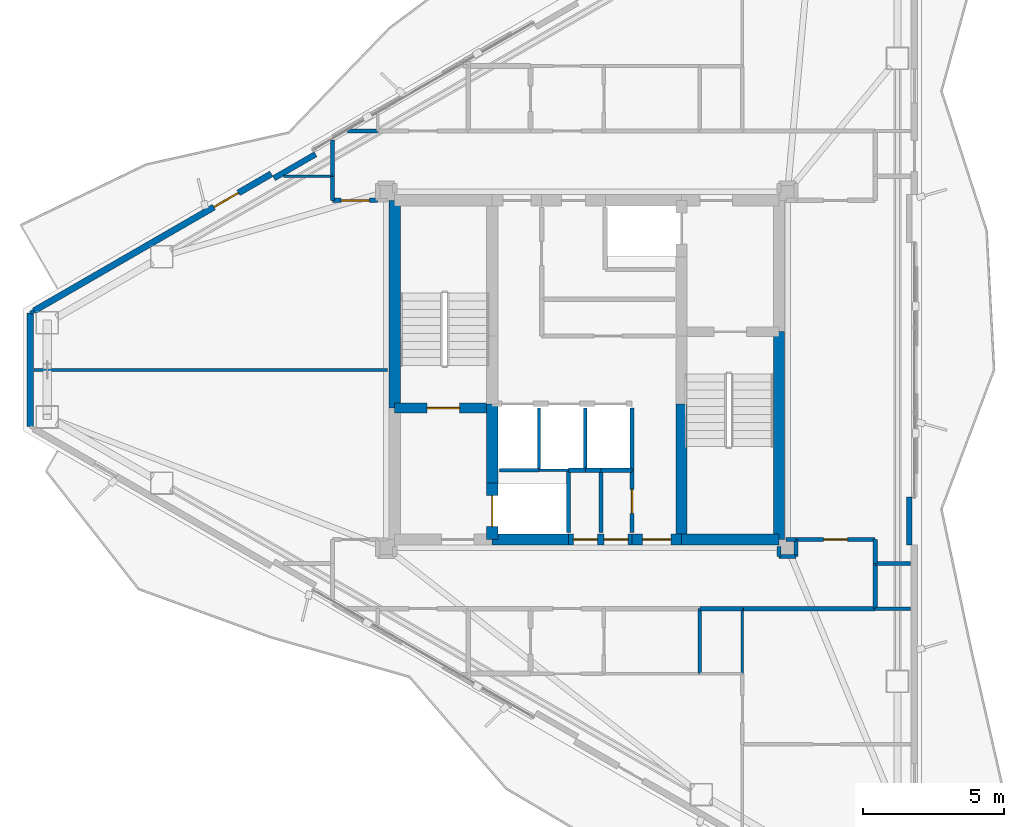
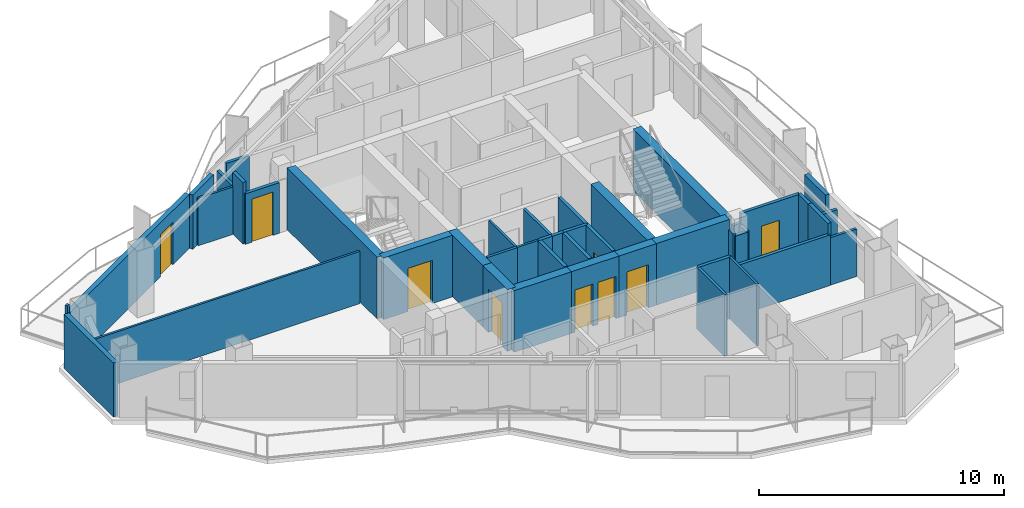
# One storey, part 17 of 22: 45 walls, 9 doors, 9 openings.
"""IFC4 building model written with IfcOpenShell, lengths in metres."""

from ifc_helpers import new_model, si_unit, direction, frame, frame_2d, origin, place, context, subcontext, project, spatial, rectangle, extrude, material, layer, layer_set, type_object, element, fill, save


model = new_model("IFC4")

# Units and contexts
model_context = context("Model", 3, precision=1e-05, world=origin(), true_north=direction((0.0, 1.0)))
body_context = subcontext(model_context, "Body", "Model", "MODEL_VIEW")
ifc_project = project(units=[si_unit("LENGTHUNIT", "METRE"), si_unit("AREAUNIT", "SQUARE_METRE"), si_unit("VOLUMEUNIT", "CUBIC_METRE"), si_unit("PLANEANGLEUNIT", "RADIAN"), si_unit("MASSUNIT", "GRAM", prefix="KILO")], contexts=[model_context])

# Site, building, storey
site_placement = place(None, origin())
site = spatial("IfcSite", under=ifc_project, at=site_placement, CompositionType="ELEMENT")
building_placement = place(site_placement, origin())
building = spatial("IfcBuilding", under=site, at=building_placement, Name="Mersakhor Tower and Convention Hall", CompositionType="ELEMENT")
storey_placement = place(building_placement, frame((0.0, 0.0, 205.199951171875)))
storey = spatial("IfcBuildingStorey", under=building, at=storey_placement, Name="L57", CompositionType="ELEMENT", Elevation=205.199951171875)

# Wall
ifc_material_1 = material(Name="Precast concrete C40/50", Category="concrete")
ifc_layer_1 = layer(ifc_material_1, 0.22509765625)
ifc_layer_set_1 = layer_set([ifc_layer_1], Name="Precast concrete C40/50")
wall_type_1 = type_object("IfcWallType", Name="WL-EXT-225", PredefinedType="SOLIDWALL", material=ifc_layer_set_1)
wall_1_placement = place(storey_placement, frame((9.3076171875, 24.73828125, 0.0), z_axis=(0.0, 0.0, 1.0), x_axis=(0.0, 1.0, 0.0)))
element("IfcWall", 1, at=wall_1_placement, inside=storey, type_object=wall_type_1, Name="L57 Chamfer Braced Spandrel Wall C3", PredefinedType="SOLIDWALL", context=body_context, shape_type="SweptSolid", body=[
    extrude(rectangle(XDim=4.0234375, YDim=0.22509765625, at=frame_2d((2.01171875, 0.0))), origin(), (0.0, 0.0, 1.0), 2.68994140625),
])

# Wall, opening, door
wall_2_placement = place(storey_placement, frame((9.4375, 28.836669921875, 0.0), z_axis=(0.0, 0.0, 1.0), x_axis=(0.866027133173, 0.499997004599, 0.0)))
wall_2 = element("IfcWall", 2, at=wall_2_placement, inside=storey, type_object=wall_type_1, Name="L57 Exterior Facade Wall F1-B1", PredefinedType="SOLIDWALL", context=body_context, shape_type="SweptSolid", body=[
    extrude(rectangle(XDim=9.69873046875, YDim=0.22509765625, at=frame_2d((4.849365234375, 0.0))), origin(), (0.0, 0.0, 1.0), 2.68994140625),
])
opening_1_placement = place(wall_2_placement, frame((7.35205078125, 0.0, 0.0)))
opening_1 = element("IfcOpeningElement", 3, at=opening_1_placement, cuts=wall_2, Name="Opening BD-01", PredefinedType="OPENING", context=body_context, shape_type="SweptSolid", body=[
    extrude(rectangle(XDim=1.0, YDim=2.10009765625, at=frame_2d((0.5, 1.050048828125))), frame((0.0, 0.12255859375, 0.0), z_axis=(0.0, -1.0, 0.0), x_axis=(1.0, 0.0, 0.0)), (0.0, 0.0, 1.0), 0.2451171875),
])
ifc_material_2 = material(Name="Thermally broken dark aluminium and safety glass", Category="aluminium")
door_type_1 = type_object("IfcDoorType", Name="DR-BAL-100x210", OperationType="NOTDEFINED", PredefinedType="DOOR", material=ifc_material_2)
door_1_placement = place(opening_1_placement, origin())
door_1 = element("IfcDoor", 4, at=door_1_placement, inside=storey, type_object=door_type_1, Name="L57 Balcony Terrace Door F1-B1", OperationType="SINGLE_SWING_LEFT", OverallHeight=2.10009765625, OverallWidth=1.0, PredefinedType="DOOR", context=body_context, shape_type="SweptSolid", body=[
    extrude(rectangle(XDim=1.0, YDim=2.10009765625, at=frame_2d((0.5, 1.050048828125))), frame((0.0, 0.02490234375, 0.0), z_axis=(0.0, -1.0, 0.0), x_axis=(1.0, 0.0, 0.0)), (0.0, 0.0, 1.0), 0.050048828125),
])
fill(opening_1, door_1)

# Walls
ifc_material_3 = material(Name="Precast concrete C40/50", Category="concrete")
ifc_layer_2 = layer(ifc_material_3, 0.199951171875)
ifc_layer_set_2 = layer_set([ifc_layer_2], Name="Precast concrete C40/50")
wall_type_2 = type_object("IfcWallType", Name="WL-PAR-200", PredefinedType="PARAPET", material=ifc_layer_set_2)
for number, where, z_axis, x_axis, name in (
    (5, (17.927001953125, 33.5302734375, 0.0), (0.0, 0.0, 1.0), (0.86605165483, 0.499954529098, 0.0), "L57 Column Pier Cladding Wall F1-C1"),
    (6, (40.408447265625, 22.25048828125, 0.0), (0.0, 0.0, 1.0), (0.0, -1.0, 0.0), "L57 Column Pier Cladding Wall F2-C2"),
):
    element("IfcWall", number, at=place(storey_placement, frame(where, z_axis=z_axis, x_axis=x_axis)), inside=storey, type_object=wall_type_2, Name=name, PredefinedType="PARAPET", context=body_context, shape_type="SweptSolid", body=[
        extrude(rectangle(XDim=1.699951171875, YDim=0.199951171875, at=frame_2d((0.85009765625, 0.0))), origin(), (0.0, 0.0, 1.0), 2.68994140625),
    ])
ifc_material_4 = material(Name="Lightweight gypsum partition", Category="other")
ifc_layer_3 = layer(ifc_material_4, 0.10009765625)
ifc_layer_set_3 = layer_set([ifc_layer_3], Name="Lightweight gypsum partition")
wall_type_3 = type_object("IfcWallType", Name="WL-PRT-100", PredefinedType="PARTITIONING", material=ifc_layer_set_3)
wall_3_placement = place(storey_placement, frame((27.300048828125, 23.199951171875, 0.0), z_axis=(0.0, 0.0, 1.0), x_axis=(1.0, 0.0, 0.0)))
element("IfcWall", 7, at=wall_3_placement, inside=storey, type_object=wall_type_3, Name="L57 Interior Partition Wall P-002", PredefinedType="PARTITIONING", context=body_context, shape_type="SweptSolid", body=[
    extrude(rectangle(XDim=1.050048828125, YDim=0.10009765625, at=frame_2d((0.52490234375, 0.0))), origin(), (0.0, 0.0, 1.0), 3.070068359375),
])
wall_4_placement = place(storey_placement, frame((27.300048828125, 25.39990234375, 0.0), z_axis=(0.0, 0.0, 1.0), x_axis=(0.0, -1.0, 0.0)))
element("IfcWall", 8, at=wall_4_placement, inside=storey, type_object=wall_type_3, Name="L57 Interior Partition Wall P-006", PredefinedType="PARTITIONING", context=body_context, shape_type="SweptSolid", body=[
    extrude(rectangle(XDim=2.199951171875, YDim=0.10009765625, at=frame_2d((1.10009765625, 0.0))), origin(), (0.0, 0.0, 1.0), 3.070068359375),
])
wall_5_placement = place(storey_placement, frame((18.273193359375, 33.60009765625, 0.0), z_axis=(0.0, 0.0, 1.0), x_axis=(1.0, 0.0, 0.0)))
element("IfcWall", 9, at=wall_5_placement, inside=storey, type_object=wall_type_3, Name="L57 Interior Partition Wall P-070", PredefinedType="PARTITIONING", context=body_context, shape_type="SweptSolid", body=[
    extrude(rectangle(XDim=1.726806640625, YDim=0.10009765625, at=frame_2d((0.86328125, 0.0))), origin(), (0.0, 0.0, 1.0), 2.364990234375),
])
wall_6_placement = place(storey_placement, frame((21.949951171875, 26.75, 0.0), z_axis=(0.0, 0.0, 1.0), x_axis=(-1.0, 0.0, 0.0)))
element("IfcWall", 10, at=wall_6_placement, inside=storey, type_object=wall_type_3, Name="L57 Interior Partition Wall P-072", PredefinedType="PARTITIONING", context=body_context, shape_type="SweptSolid", body=[
    extrude(rectangle(XDim=12.505859375, YDim=0.10009765625, at=frame_2d((6.2529296875, 0.0))), origin(), (0.0, 0.0, 1.0), 2.594970703125),
])
wall_7_placement = place(storey_placement, frame((34.5, 16.0, 0.0), z_axis=(0.0, 0.0, 1.0), x_axis=(0.0, 1.0, 0.0)))
element("IfcWall", 11, at=wall_7_placement, inside=storey, type_object=wall_type_3, Name="L57 Interior Partition Wall P-098", PredefinedType="PARTITIONING", context=body_context, shape_type="SweptSolid", body=[
    extrude(rectangle(XDim=2.300048828125, YDim=0.10009765625, at=frame_2d((1.14990234375, 0.0))), origin(), (0.0, 0.0, 1.0), 3.070068359375),
])
ifc_material_5 = material(Name="Gypsum board acoustic partition", Category="other")
ifc_layer_4 = layer(ifc_material_5, 0.125)
ifc_layer_set_4 = layer_set([ifc_layer_4], Name="Gypsum board acoustic partition")
wall_type_4 = type_object("IfcWallType", Name="WL-PRT-125", PredefinedType="PARTITIONING", material=ifc_layer_set_4)
wall_8_placement = place(storey_placement, frame((25.89990234375, 23.199951171875, 0.0), z_axis=(0.0, 0.0, 1.0), x_axis=(1.0, 0.0, 0.0)))
element("IfcWall", 12, at=wall_8_placement, inside=storey, type_object=wall_type_4, Name="L57 Interior Partition Wall P-001", PredefinedType="PARTITIONING", context=body_context, shape_type="SweptSolid", body=[
    extrude(rectangle(XDim=1.400146484375, YDim=0.125, at=frame_2d((0.7001953125, 0.0))), origin(), (0.0, 0.0, 1.0), 3.070068359375),
])
wall_9_placement = place(storey_placement, frame((28.949951171875, 25.39990234375, 0.0), z_axis=(0.0, 0.0, 1.0), x_axis=(0.0, -1.0, 0.0)))
element("IfcWall", 13, at=wall_9_placement, inside=storey, type_object=wall_type_4, Name="L57 Interior Partition Wall P-007", PredefinedType="PARTITIONING", context=body_context, shape_type="SweptSolid", body=[
    extrude(rectangle(XDim=2.199951171875, YDim=0.125, at=frame_2d((1.10009765625, 0.0))), origin(), (0.0, 0.0, 1.0), 3.070068359375),
])
wall_10_placement = place(storey_placement, frame((33.0, 18.300048828125, 0.0), z_axis=(0.0, 0.0, 1.0), x_axis=(0.0, -1.0, 0.0)))
element("IfcWall", 14, at=wall_10_placement, inside=storey, type_object=wall_type_4, Name="L57 Interior Partition Wall P-067", PredefinedType="PARTITIONING", context=body_context, shape_type="SweptSolid", body=[
    extrude(rectangle(XDim=2.300048828125, YDim=0.125, at=frame_2d((1.14990234375, 0.0))), origin(), (0.0, 0.0, 1.0), 3.070068359375),
])
wall_11_placement = place(storey_placement, frame((9.306884765625, 28.761962890625, 0.0), z_axis=(0.0, 0.0, 1.0), x_axis=(0.866239593359, 0.499628829129, 0.0)))
element("IfcWall", 15, at=wall_11_placement, inside=storey, type_object=wall_type_4, Name="L57 Interior Partition Wall P-073", PredefinedType="PARTITIONING", context=body_context, shape_type="SweptSolid", body=[
    extrude(rectangle(XDim=0.150390625, YDim=0.125, at=frame_2d((0.0751953125, 0.0))), origin(), (0.0, 0.0, 1.0), 3.070068359375),
])
wall_12_placement = place(storey_placement, frame((39.199951171875, 18.300048828125, 0.0), z_axis=(0.0, 0.0, 1.0), x_axis=(1.0, 0.0, 0.0)))
element("IfcWall", 16, at=wall_12_placement, inside=storey, type_object=wall_type_4, Name="L57 Interior Partition Wall P-097", PredefinedType="PARTITIONING", context=body_context, shape_type="SweptSolid", body=[
    extrude(rectangle(XDim=1.251953125, YDim=0.125, at=frame_2d((0.6259765625, 0.0))), origin(), (0.0, 0.0, 1.0), 2.364990234375),
])
ifc_material_6 = material(Name="Fire-rated gypsum board stud partition", Category="other")
ifc_layer_5 = layer(ifc_material_6, 0.14990234375)
ifc_layer_set_5 = layer_set([ifc_layer_5], Name="Fire-rated gypsum board stud partition")
wall_type_5 = type_object("IfcWallType", Name="WL-PRT-150", PredefinedType="PARTITIONING", material=ifc_layer_set_5)
wall_13_placement = place(storey_placement, frame((28.35009765625, 23.199951171875, 0.0), z_axis=(0.0, 0.0, 1.0), x_axis=(0.0, -1.0, 0.0)))
element("IfcWall", 17, at=wall_13_placement, inside=storey, type_object=wall_type_5, Name="L57 Interior Partition Wall P-003", PredefinedType="PARTITIONING", context=body_context, shape_type="SweptSolid", body=[
    extrude(rectangle(XDim=2.199951171875, YDim=0.14990234375, at=frame_2d((1.10009765625, 0.0))), origin(), (0.0, 0.0, 1.0), 3.070068359375),
])
wall_14_placement = place(storey_placement, frame((28.949951171875, 23.199951171875, 0.0), z_axis=(0.0, 0.0, 1.0), x_axis=(-1.0, 0.0, 0.0)))
element("IfcWall", 18, at=wall_14_placement, inside=storey, type_object=wall_type_5, Name="L57 Interior Partition Wall P-008", PredefinedType="PARTITIONING", context=body_context, shape_type="SweptSolid", body=[
    extrude(rectangle(XDim=0.599853515625, YDim=0.14990234375, at=frame_2d((0.2998046875, 0.0))), origin(), (0.0, 0.0, 1.0), 3.070068359375),
])
wall_15_placement = place(storey_placement, frame((30.60009765625, 25.39990234375, 0.0), z_axis=(0.0, 0.0, 1.0), x_axis=(0.0, -1.0, 0.0)))
element("IfcWall", 19, at=wall_15_placement, inside=storey, type_object=wall_type_5, Name="L57 Interior Partition Wall P-009", PredefinedType="PARTITIONING", context=body_context, shape_type="SweptSolid", body=[
    extrude(rectangle(XDim=2.199951171875, YDim=0.14990234375, at=frame_2d((1.10009765625, 0.0))), origin(), (0.0, 0.0, 1.0), 3.070068359375),
])
wall_16_placement = place(storey_placement, frame((30.60009765625, 23.199951171875, 0.0), z_axis=(0.0, 0.0, 1.0), x_axis=(-1.0, 0.0, 0.0)))
element("IfcWall", 20, at=wall_16_placement, inside=storey, type_object=wall_type_5, Name="L57 Interior Partition Wall P-010", PredefinedType="PARTITIONING", context=body_context, shape_type="SweptSolid", body=[
    extrude(rectangle(XDim=1.10009765625, YDim=0.14990234375, at=frame_2d((0.550048828125, 0.0))), origin(), (0.0, 0.0, 1.0), 3.070068359375),
])
wall_17_placement = place(storey_placement, frame((29.5, 23.199951171875, 0.0), z_axis=(0.0, 0.0, 1.0), x_axis=(-1.0, 0.0, 0.0)))
element("IfcWall", 21, at=wall_17_placement, inside=storey, type_object=wall_type_5, Name="L57 Interior Partition Wall P-011", PredefinedType="PARTITIONING", context=body_context, shape_type="SweptSolid", body=[
    extrude(rectangle(XDim=0.550048828125, YDim=0.14990234375, at=frame_2d((0.27490234375, 0.0))), origin(), (0.0, 0.0, 1.0), 3.070068359375),
])

# Wall, opening, door
wall_18_placement = place(storey_placement, frame((30.60009765625, 21.0, 0.0), z_axis=(0.0, 0.0, 1.0), x_axis=(0.0, 1.0, 0.0)))
wall_18 = element("IfcWall", 22, at=wall_18_placement, inside=storey, type_object=wall_type_5, Name="L57 Interior Partition Wall P-012", PredefinedType="PARTITIONING", context=body_context, shape_type="SweptSolid", body=[
    extrude(rectangle(XDim=2.199951171875, YDim=0.14990234375, at=frame_2d((1.10009765625, 0.0))), origin(), (0.0, 0.0, 1.0), 3.070068359375),
])
opening_2_placement = place(wall_18_placement, frame((0.675048828125, 0.0, 0.0)))
opening_2 = element("IfcOpeningElement", 23, at=opening_2_placement, cuts=wall_18, Name="Opening SVD-01", PredefinedType="OPENING", context=body_context, shape_type="SweptSolid", body=[
    extrude(rectangle(XDim=0.85009765625, YDim=2.10009765625, at=frame_2d((0.425048828125, 1.050048828125))), frame((0.0, 0.0849609375, 0.0), z_axis=(0.0, -1.0, 0.0), x_axis=(1.0, 0.0, 0.0)), (0.0, 0.0, 1.0), 0.169921875),
])
ifc_material_7 = material(Name="Fire-rated hardwood leaf and painted steel frame", Category="steel")
door_type_2 = type_object("IfcDoorType", Name="DR-INT-SVC-085x210", OperationType="NOTDEFINED", PredefinedType="DOOR", material=ifc_material_7)
door_2_placement = place(opening_2_placement, origin())
door_2 = element("IfcDoor", 24, at=door_2_placement, inside=storey, type_object=door_type_2, Name="L57 Central Passenger Lift Lobby to Cleaner Store Room Door", OperationType="SINGLE_SWING_RIGHT", OverallHeight=2.10009765625, OverallWidth=0.85009765625, PredefinedType="DOOR", context=body_context, shape_type="SweptSolid", body=[
    extrude(rectangle(XDim=0.85009765625, YDim=2.10009765625, at=frame_2d((0.425048828125, 1.050048828125))), frame((0.0, 0.02490234375, 0.0), z_axis=(0.0, -1.0, 0.0), x_axis=(1.0, 0.0, 0.0)), (0.0, 0.0, 1.0), 0.050048828125),
])
fill(opening_2, door_2)

wall_19_placement = place(storey_placement, frame((21.60009765625, 32.75, 0.0), z_axis=(0.0, 0.0, 1.0), x_axis=(-1.0, 0.0, 0.0)))
wall_19 = element("IfcWall", 25, at=wall_19_placement, inside=storey, type_object=wall_type_5, Name="L57 Interior Partition Wall P-025", PredefinedType="PARTITIONING", context=body_context, shape_type="SweptSolid", body=[
    extrude(rectangle(XDim=1.60009765625, YDim=0.14990234375, at=frame_2d((0.800048828125, 0.0))), origin(), (0.0, 0.0, 1.0), 2.518310546875),
])
opening_3_placement = place(wall_19_placement, frame((0.300048828125, 0.0, 0.0)))
opening_3 = element("IfcOpeningElement", 26, at=opening_3_placement, cuts=wall_19, Name="Opening FD-01", PredefinedType="OPENING", context=body_context, shape_type="SweptSolid", body=[
    extrude(rectangle(XDim=1.0, YDim=2.14990234375, at=frame_2d((0.5, 1.074951171875))), frame((0.0, 0.0849609375, 0.0), z_axis=(0.0, -1.0, 0.0), x_axis=(1.0, 0.0, 0.0)), (0.0, 0.0, 1.0), 0.169921875),
])
ifc_material_8 = material(Name="Fire-rated hardwood leaf and painted steel frame", Category="steel")
door_type_3 = type_object("IfcDoorType", Name="DR-INT-FLT-100x215", OperationType="NOTDEFINED", PredefinedType="DOOR", material=ifc_material_8)
door_3_placement = place(opening_3_placement, origin())
door_3 = element("IfcDoor", 27, at=door_3_placement, inside=storey, type_object=door_type_3, Name="L57 Residential North Gallery Corridor to L57 West Wing Residents Library Hall Door", OperationType="SINGLE_SWING_LEFT", OverallHeight=2.14990234375, OverallWidth=1.0, PredefinedType="DOOR", context=body_context, shape_type="SweptSolid", body=[
    extrude(rectangle(XDim=1.0, YDim=2.14990234375, at=frame_2d((0.5, 1.074951171875))), frame((0.0, 0.02490234375, 0.0), z_axis=(0.0, -1.0, 0.0), x_axis=(1.0, 0.0, 0.0)), (0.0, 0.0, 1.0), 0.050048828125),
])
fill(opening_3, door_3)

# Walls
wall_20_placement = place(storey_placement, frame((20.0, 32.75, 0.0), z_axis=(0.0, 0.0, 1.0), x_axis=(0.0, 1.0, 0.0)))
element("IfcWall", 28, at=wall_20_placement, inside=storey, type_object=wall_type_5, Name="L57 Interior Partition Wall P-026", PredefinedType="PARTITIONING", context=body_context, shape_type="SweptSolid", body=[
    extrude(rectangle(XDim=0.85009765625, YDim=0.14990234375, at=frame_2d((0.425048828125, 0.0))), origin(), (0.0, 0.0, 1.0), 3.070068359375),
])
wall_21_placement = place(storey_placement, frame((20.0, 33.60009765625, 0.0), z_axis=(0.0, 0.0, 1.0), x_axis=(0.0, 1.0, 0.0)))
element("IfcWall", 29, at=wall_21_placement, inside=storey, type_object=wall_type_5, Name="L57 Interior Partition Wall P-027", PredefinedType="PARTITIONING", context=body_context, shape_type="SweptSolid", body=[
    extrude(rectangle(XDim=1.291015625, YDim=0.14990234375, at=frame_2d((0.6455078125, 0.0))), origin(), (0.0, 0.0, 1.0), 2.364990234375),
])
wall_22_placement = place(storey_placement, frame((20.5283203125, 35.199951171875, 0.0), z_axis=(0.0, 0.0, 1.0), x_axis=(1.0, 0.0, 0.0)))
element("IfcWall", 30, at=wall_22_placement, inside=storey, type_object=wall_type_5, Name="L57 Interior Partition Wall P-028", PredefinedType="PARTITIONING", context=body_context, shape_type="SweptSolid", body=[
    extrude(rectangle(XDim=1.07177734375, YDim=0.14990234375, at=frame_2d((0.535888671875, 0.0))), origin(), (0.0, 0.0, 1.0), 2.364990234375),
])
wall_23_placement = place(storey_placement, frame((35.800048828125, 20.5, 0.0), z_axis=(0.0, 0.0, 1.0), x_axis=(0.0, -1.0, 0.0)))
element("IfcWall", 31, at=wall_23_placement, inside=storey, type_object=wall_type_5, Name="L57 Interior Partition Wall P-039", PredefinedType="PARTITIONING", context=body_context, shape_type="SweptSolid", body=[
    extrude(rectangle(XDim=0.35009765625, YDim=0.14990234375, at=frame_2d((0.175048828125, 0.0))), origin(), (0.0, 0.0, 1.0), 2.594970703125),
])
wall_24_placement = place(storey_placement, frame((35.800048828125, 20.14990234375, 0.0), z_axis=(0.0, 0.0, 1.0), x_axis=(1.0, 0.0, 0.0)))
element("IfcWall", 32, at=wall_24_placement, inside=storey, type_object=wall_type_5, Name="L57 Interior Partition Wall P-040", PredefinedType="PARTITIONING", context=body_context, shape_type="SweptSolid", body=[
    extrude(rectangle(XDim=0.599853515625, YDim=0.14990234375, at=frame_2d((0.2998046875, 0.0))), origin(), (0.0, 0.0, 1.0), 2.518310546875),
])
wall_25_placement = place(storey_placement, frame((36.39990234375, 20.14990234375, 0.0), z_axis=(0.0, 0.0, 1.0), x_axis=(0.0, 1.0, 0.0)))
element("IfcWall", 33, at=wall_25_placement, inside=storey, type_object=wall_type_5, Name="L57 Interior Partition Wall P-041", PredefinedType="PARTITIONING", context=body_context, shape_type="SweptSolid", body=[
    extrude(rectangle(XDim=0.60009765625, YDim=0.14990234375, at=frame_2d((0.300048828125, 0.0))), origin(), (0.0, 0.0, 1.0), 2.518310546875),
])

# Wall, opening, door
wall_26_placement = place(storey_placement, frame((36.39990234375, 20.75, 0.0), z_axis=(0.0, 0.0, 1.0), x_axis=(1.0, 0.0, 0.0)))
wall_26 = element("IfcWall", 34, at=wall_26_placement, inside=storey, type_object=wall_type_5, Name="L57 Interior Partition Wall P-042", PredefinedType="PARTITIONING", context=body_context, shape_type="SweptSolid", body=[
    extrude(rectangle(XDim=2.800048828125, YDim=0.14990234375, at=frame_2d((1.39990234375, 0.0))), origin(), (0.0, 0.0, 1.0), 3.070068359375),
])
opening_4_placement = place(wall_26_placement, frame((0.97509765625, 0.0, 0.0)))
opening_4 = element("IfcOpeningElement", 35, at=opening_4_placement, cuts=wall_26, Name="Opening SVD-01", PredefinedType="OPENING", context=body_context, shape_type="SweptSolid", body=[
    extrude(rectangle(XDim=0.85009765625, YDim=2.10009765625, at=frame_2d((0.425048828125, 1.050048828125))), frame((0.0, 0.0849609375, 0.0), z_axis=(0.0, -1.0, 0.0), x_axis=(1.0, 0.0, 0.0)), (0.0, 0.0, 1.0), 0.169921875),
])
door_4_placement = place(opening_4_placement, origin())
door_4 = element("IfcDoor", 36, at=door_4_placement, inside=storey, type_object=door_type_2, Name="L57 Residential South Gallery Corridor to L57 East Wing Household Store Door", OperationType="SINGLE_SWING_RIGHT", OverallHeight=2.10009765625, OverallWidth=0.85009765625, PredefinedType="DOOR", context=body_context, shape_type="SweptSolid", body=[
    extrude(rectangle(XDim=0.85009765625, YDim=2.10009765625, at=frame_2d((0.425048828125, 1.050048828125))), frame((0.0, 0.02490234375, 0.0), z_axis=(0.0, -1.0, 0.0), x_axis=(1.0, 0.0, 0.0)), (0.0, 0.0, 1.0), 0.050048828125),
])
fill(opening_4, door_4)

# Walls
wall_27_placement = place(storey_placement, frame((39.199951171875, 20.75, 0.0), z_axis=(0.0, 0.0, 1.0), x_axis=(0.0, -1.0, 0.0)))
element("IfcWall", 37, at=wall_27_placement, inside=storey, type_object=wall_type_5, Name="L57 Interior Partition Wall P-043", PredefinedType="PARTITIONING", context=body_context, shape_type="SweptSolid", body=[
    extrude(rectangle(XDim=0.85009765625, YDim=0.14990234375, at=frame_2d((0.425048828125, 0.0))), origin(), (0.0, 0.0, 1.0), 3.070068359375),
])
wall_28_placement = place(storey_placement, frame((39.199951171875, 19.89990234375, 0.0), z_axis=(0.0, 0.0, 1.0), x_axis=(0.0, -1.0, 0.0)))
element("IfcWall", 38, at=wall_28_placement, inside=storey, type_object=wall_type_5, Name="L57 Interior Partition Wall P-044", PredefinedType="PARTITIONING", context=body_context, shape_type="SweptSolid", body=[
    extrude(rectangle(XDim=1.599853515625, YDim=0.14990234375, at=frame_2d((0.7998046875, 0.0))), origin(), (0.0, 0.0, 1.0), 3.070068359375),
])
wall_29_placement = place(storey_placement, frame((39.199951171875, 18.300048828125, 0.0), z_axis=(0.0, 0.0, 1.0), x_axis=(-1.0, 0.0, 0.0)))
element("IfcWall", 39, at=wall_29_placement, inside=storey, type_object=wall_type_5, Name="L57 Interior Partition Wall P-045", PredefinedType="PARTITIONING", context=body_context, shape_type="SweptSolid", body=[
    extrude(rectangle(XDim=4.699951171875, YDim=0.14990234375, at=frame_2d((2.35009765625, 0.0))), origin(), (0.0, 0.0, 1.0), 2.518310546875),
])
wall_30_placement = place(storey_placement, frame((34.5, 18.300048828125, 0.0), z_axis=(0.0, 0.0, 1.0), x_axis=(-1.0, 0.0, 0.0)))
element("IfcWall", 40, at=wall_30_placement, inside=storey, type_object=wall_type_5, Name="L57 Interior Partition Wall P-046", PredefinedType="PARTITIONING", context=body_context, shape_type="SweptSolid", body=[
    extrude(rectangle(XDim=1.5, YDim=0.14990234375, at=frame_2d((0.75, 0.0))), origin(), (0.0, 0.0, 1.0), 3.070068359375),
])
wall_31_placement = place(storey_placement, frame((29.5, 23.199951171875, 0.0), z_axis=(0.0, 0.0, 1.0), x_axis=(0.0, -1.0, 0.0)))
element("IfcWall", 41, at=wall_31_placement, inside=storey, type_object=wall_type_5, Name="L57 Interior Partition Wall P-069", PredefinedType="PARTITIONING", context=body_context, shape_type="SweptSolid", body=[
    extrude(rectangle(XDim=2.199951171875, YDim=0.14990234375, at=frame_2d((1.10009765625, 0.0))), origin(), (0.0, 0.0, 1.0), 3.070068359375),
])
wall_32_placement = place(storey_placement, frame((36.39990234375, 20.75, 0.0), z_axis=(0.0, 0.0, 1.0), x_axis=(-1.0, 0.0, 0.0)))
element("IfcWall", 42, at=wall_32_placement, inside=storey, type_object=wall_type_5, Name="L57 Interior Partition Wall P-077", PredefinedType="PARTITIONING", context=body_context, shape_type="SweptSolid", body=[
    extrude(rectangle(XDim=0.349853515625, YDim=0.14990234375, at=frame_2d((0.1748046875, 0.0))), origin(), (0.0, 0.0, 1.0), 2.594970703125),
])
wall_33_placement = place(storey_placement, frame((40.451904296875, 19.89990234375, 0.0), z_axis=(0.0, 0.0, 1.0), x_axis=(-1.0, 0.0, 0.0)))
element("IfcWall", 43, at=wall_33_placement, inside=storey, type_object=wall_type_5, Name="L57 Interior Partition Wall P-080", PredefinedType="PARTITIONING", context=body_context, shape_type="SweptSolid", body=[
    extrude(rectangle(XDim=1.251953125, YDim=0.14990234375, at=frame_2d((0.6259765625, 0.0))), origin(), (0.0, 0.0, 1.0), 2.364990234375),
])

# Wall, opening, door
ifc_material_9 = material(Name="Concrete C50/60", Category="concrete")
ifc_layer_6 = layer(ifc_material_9, 0.35009765625)
ifc_layer_set_6 = layer_set([ifc_layer_6], Name="Concrete C50/60")
wall_type_6 = type_object("IfcWallType", Name="WL-SHR-350", PredefinedType="SHEAR", material=ifc_layer_set_6)
wall_34_placement = place(storey_placement, frame((22.199951171875, 25.39990234375, 0.0), z_axis=(0.0, 0.0, 1.0), x_axis=(1.0, 0.0, 0.0)))
wall_34 = element("IfcWall", 44, at=wall_34_placement, inside=storey, type_object=wall_type_6, Name="L57 Core Wall CS-ST1-S", PredefinedType="SHEAR", context=body_context, shape_type="SweptSolid", body=[
    extrude(rectangle(XDim=3.449951171875, YDim=0.35009765625, at=frame_2d((1.72509765625, 0.0))), origin(), (0.0, 0.0, 1.0), 3.070068359375),
])
opening_5_placement = place(wall_34_placement, frame((1.14990234375, 0.0, 0.0)))
opening_5 = element("IfcOpeningElement", 45, at=opening_5_placement, cuts=wall_34, Name="Opening SD-01", PredefinedType="OPENING", context=body_context, shape_type="SweptSolid", body=[
    extrude(rectangle(XDim=1.14990234375, YDim=2.14990234375, at=frame_2d((0.574951171875, 1.074951171875))), frame((0.0, 0.18505859375, 0.0), z_axis=(0.0, -1.0, 0.0), x_axis=(1.0, 0.0, 0.0)), (0.0, 0.0, 1.0), 0.3701171875),
])
ifc_material_10 = material(Name="Fire-rated hardwood leaf and painted steel frame", Category="steel")
door_type_4 = type_object("IfcDoorType", Name="DR-INT-STAIR-115x215", OperationType="NOTDEFINED", PredefinedType="DOOR", material=ifc_material_10)
door_5_placement = place(opening_5_placement, origin())
door_5 = element("IfcDoor", 46, at=door_5_placement, inside=storey, type_object=door_type_4, Name="L57 Exit Stair ST-1 Enclosure Door", OperationType="SINGLE_SWING_LEFT", OverallHeight=2.14990234375, OverallWidth=1.14990234375, PredefinedType="DOOR", context=body_context, shape_type="SweptSolid", body=[
    extrude(rectangle(XDim=1.14990234375, YDim=2.14990234375, at=frame_2d((0.574951171875, 1.074951171875))), frame((0.0, 0.02490234375, 0.0), z_axis=(0.0, -1.0, 0.0), x_axis=(1.0, 0.0, 0.0)), (0.0, 0.0, 1.0), 0.050048828125),
])
fill(opening_5, door_5)

# Walls
ifc_material_11 = material(Name="Concrete C60/75", Category="concrete")
ifc_layer_7 = layer(ifc_material_11, 0.39990234375)
ifc_layer_set_7 = layer_set([ifc_layer_7], Name="Concrete C60/75")
wall_type_7 = type_object("IfcWallType", Name="WL-SHR-400", PredefinedType="SHEAR", material=ifc_layer_set_7)
for number, where, z_axis, x_axis, name in (
    (47, (22.199951171875, 25.39990234375, 0.0), (0.0, 0.0, 1.0), (0.0, 1.0, 0.0), "L57 Core Wall CW-W2"),
    (48, (35.800048828125, 28.10009765625, 0.0), (0.0, 0.0, 1.0), (0.0, -1.0, 0.0), "L57 Core Wall CW-E2"),
):
    element("IfcWall", number, at=place(storey_placement, frame(where, z_axis=z_axis, x_axis=x_axis)), inside=storey, type_object=wall_type_7, Name=name, PredefinedType="SHEAR", context=body_context, shape_type="SweptSolid", body=[
        extrude(rectangle(XDim=7.35009765625, YDim=0.39990234375, at=frame_2d((3.675048828125, 0.0))), origin(), (0.0, 0.0, 1.0), 3.070068359375),
    ])
wall_35_placement = place(storey_placement, frame((35.800048828125, 20.75, 0.0), z_axis=(0.0, 0.0, 1.0), x_axis=(-1.0, 0.0, 0.0)))
element("IfcWall", 49, at=wall_35_placement, inside=storey, type_object=wall_type_7, Name="L57 Core Wall CW-S1", PredefinedType="SHEAR", context=body_context, shape_type="SweptSolid", body=[
    extrude(rectangle(XDim=3.449951171875, YDim=0.39990234375, at=frame_2d((1.72509765625, 0.0))), origin(), (0.0, 0.0, 1.0), 3.070068359375),
])

# Wall, opening, door
wall_36_placement = place(storey_placement, frame((32.35009765625, 20.75, 0.0), z_axis=(0.0, 0.0, 1.0), x_axis=(-1.0, 0.0, 0.0)))
wall_36 = element("IfcWall", 50, at=wall_36_placement, inside=storey, type_object=wall_type_7, Name="L57 Core Wall CW-S2A", PredefinedType="SHEAR", context=body_context, shape_type="SweptSolid", body=[
    extrude(rectangle(XDim=1.75, YDim=0.39990234375, at=frame_2d((0.875, 0.0))), origin(), (0.0, 0.0, 1.0), 3.070068359375),
])
opening_6_placement = place(wall_36_placement, frame((0.375, 0.0, 0.0)))
opening_6 = element("IfcOpeningElement", 51, at=opening_6_placement, cuts=wall_36, Name="Opening CFD-01", PredefinedType="OPENING", context=body_context, shape_type="SweptSolid", body=[
    extrude(rectangle(XDim=1.0, YDim=2.14990234375, at=frame_2d((0.5, 1.074951171875))), frame((0.0, 0.2099609375, 0.0), z_axis=(0.0, -1.0, 0.0), x_axis=(1.0, 0.0, 0.0)), (0.0, 0.0, 1.0), 0.419921875),
])
ifc_material_12 = material(Name="Fire-rated hardwood leaf and painted steel frame", Category="steel")
door_type_5 = type_object("IfcDoorType", Name="DR-CORE-FD-100x215", OperationType="NOTDEFINED", PredefinedType="DOOR", material=ifc_material_12)
door_6_placement = place(opening_6_placement, origin())
door_6 = element("IfcDoor", 52, at=door_6_placement, inside=storey, type_object=door_type_5, Name="L57 Lift Lobby South Corridor Door", OperationType="SINGLE_SWING_RIGHT", OverallHeight=2.14990234375, OverallWidth=1.0, PredefinedType="DOOR", context=body_context, shape_type="SweptSolid", body=[
    extrude(rectangle(XDim=1.0, YDim=2.14990234375, at=frame_2d((0.5, 1.074951171875))), frame((0.0, 0.02490234375, 0.0), z_axis=(0.0, -1.0, 0.0), x_axis=(1.0, 0.0, 0.0)), (0.0, 0.0, 1.0), 0.050048828125),
])
fill(opening_6, door_6)

# Wall, openings, doors
wall_37_placement = place(storey_placement, frame((30.60009765625, 20.75, 0.0), z_axis=(0.0, 0.0, 1.0), x_axis=(-1.0, 0.0, 0.0)))
wall_37 = element("IfcWall", 53, at=wall_37_placement, inside=storey, type_object=wall_type_7, Name="L57 Core Wall CW-S2B", PredefinedType="SHEAR", context=body_context, shape_type="SweptSolid", body=[
    extrude(rectangle(XDim=2.25, YDim=0.39990234375, at=frame_2d((1.125, 0.0))), origin(), (0.0, 0.0, 1.0), 3.070068359375),
])
opening_7_placement = place(wall_37_placement, frame((1.22998046875, 0.0, 0.0)))
opening_7 = element("IfcOpeningElement", 54, at=opening_7_placement, cuts=wall_37, Name="Opening SVD-01", PredefinedType="OPENING", context=body_context, shape_type="SweptSolid", body=[
    extrude(rectangle(XDim=0.85009765625, YDim=2.10009765625, at=frame_2d((0.425048828125, 1.050048828125))), frame((0.0, 0.2099609375, 0.0), z_axis=(0.0, -1.0, 0.0), x_axis=(1.0, 0.0, 0.0)), (0.0, 0.0, 1.0), 0.419921875),
])
opening_8_placement = place(wall_37_placement, frame((0.14501953125, 0.0, 0.0)))
opening_8 = element("IfcOpeningElement", 55, at=opening_8_placement, cuts=wall_37, Name="Opening SVD-01", PredefinedType="OPENING", context=body_context, shape_type="SweptSolid", body=[
    extrude(rectangle(XDim=0.85009765625, YDim=2.10009765625, at=frame_2d((0.425048828125, 1.050048828125))), frame((0.0, 0.2099609375, 0.0), z_axis=(0.0, -1.0, 0.0), x_axis=(1.0, 0.0, 0.0)), (0.0, 0.0, 1.0), 0.419921875),
])
door_7_placement = place(opening_7_placement, origin())
door_7 = element("IfcDoor", 56, at=door_7_placement, inside=storey, type_object=door_type_2, Name="L57 Residential South Gallery Corridor to Mechanical Valve Plant Room Door", OperationType="SINGLE_SWING_LEFT", OverallHeight=2.10009765625, OverallWidth=0.85009765625, PredefinedType="DOOR", context=body_context, shape_type="SweptSolid", body=[
    extrude(rectangle(XDim=0.85009765625, YDim=2.10009765625, at=frame_2d((0.425048828125, 1.050048828125))), frame((0.0, 0.02490234375, 0.0), z_axis=(0.0, -1.0, 0.0), x_axis=(1.0, 0.0, 0.0)), (0.0, 0.0, 1.0), 0.050048828125),
])
fill(opening_7, door_7)
door_8_placement = place(opening_8_placement, origin())
door_8 = element("IfcDoor", 57, at=door_8_placement, inside=storey, type_object=door_type_2, Name="L57 Residential South Gallery Corridor to Cleaner Store Room Door", OperationType="SINGLE_SWING_RIGHT", OverallHeight=2.10009765625, OverallWidth=0.85009765625, PredefinedType="DOOR", context=body_context, shape_type="SweptSolid", body=[
    extrude(rectangle(XDim=0.85009765625, YDim=2.10009765625, at=frame_2d((0.425048828125, 1.050048828125))), frame((0.0, 0.02490234375, 0.0), z_axis=(0.0, -1.0, 0.0), x_axis=(1.0, 0.0, 0.0)), (0.0, 0.0, 1.0), 0.050048828125),
])
fill(opening_8, door_8)

# Wall
wall_38_placement = place(storey_placement, frame((28.35009765625, 20.75, 0.0), z_axis=(0.0, 0.0, 1.0), x_axis=(-1.0, 0.0, 0.0)))
element("IfcWall", 58, at=wall_38_placement, inside=storey, type_object=wall_type_7, Name="L57 Core Wall CW-S3", PredefinedType="SHEAR", context=body_context, shape_type="SweptSolid", body=[
    extrude(rectangle(XDim=2.7001953125, YDim=0.39990234375, at=frame_2d((1.35009765625, 0.0))), origin(), (0.0, 0.0, 1.0), 3.070068359375),
])

# Wall, opening, door
wall_39_placement = place(storey_placement, frame((25.64990234375, 20.75, 0.0), z_axis=(0.0, 0.0, 1.0), x_axis=(0.0, 1.0, 0.0)))
wall_39 = element("IfcWall", 59, at=wall_39_placement, inside=storey, type_object=wall_type_7, Name="L57 Core Wall CS-W-FFL", PredefinedType="SHEAR", context=body_context, shape_type="SweptSolid", body=[
    extrude(rectangle(XDim=2.0, YDim=0.39990234375, at=frame_2d((1.0, 0.0))), origin(), (0.0, 0.0, 1.0), 3.070068359375),
])
opening_9_placement = place(wall_39_placement, frame((0.449951171875, 0.0, 0.0)))
opening_9 = element("IfcOpeningElement", 60, at=opening_9_placement, cuts=wall_39, Name="Opening LD-FFL1", PredefinedType="OPENING", context=body_context, shape_type="SweptSolid", body=[
    extrude(rectangle(XDim=1.10009765625, YDim=2.14990234375, at=frame_2d((0.550048828125, 1.074951171875))), frame((0.0, 0.2099609375, 0.0), z_axis=(0.0, -1.0, 0.0), x_axis=(1.0, 0.0, 0.0)), (0.0, 0.0, 1.0), 0.419921875),
])
ifc_material_13 = material(Name="Fire-rated brushed stainless steel sliding landing door", Category="steel")
door_type_6 = type_object("IfcDoorType", Name="DR-LIFT-SLD-110x215", OperationType="NOTDEFINED", PredefinedType="DOOR", material=ifc_material_13)
door_9_placement = place(opening_9_placement, origin())
door_9 = element("IfcDoor", 61, at=door_9_placement, inside=storey, type_object=door_type_6, Name="L57 Firefighting Lift Landing Door LD-FFL1", OperationType="SLIDING_TO_LEFT", OverallHeight=2.14990234375, OverallWidth=1.10009765625, PredefinedType="DOOR", context=body_context, shape_type="SweptSolid", body=[
    extrude(rectangle(XDim=1.10009765625, YDim=2.14990234375, at=frame_2d((0.550048828125, 1.074951171875))), frame((0.0, 0.02490234375, 0.0), z_axis=(0.0, -1.0, 0.0), x_axis=(1.0, 0.0, 0.0)), (0.0, 0.0, 1.0), 0.050048828125),
])
fill(opening_9, door_9)

# Walls
wall_40_placement = place(storey_placement, frame((25.64990234375, 22.75, 0.0), z_axis=(0.0, 0.0, 1.0), x_axis=(0.0, 1.0, 0.0)))
element("IfcWall", 62, at=wall_40_placement, inside=storey, type_object=wall_type_7, Name="L57 Core Wall CS-W-MID", PredefinedType="SHEAR", context=body_context, shape_type="SweptSolid", body=[
    extrude(rectangle(XDim=2.800048828125, YDim=0.39990234375, at=frame_2d((1.39990234375, 0.0))), origin(), (0.0, 0.0, 1.0), 3.070068359375),
])
wall_41_placement = place(storey_placement, frame((32.35009765625, 20.75, 0.0), z_axis=(0.0, 0.0, 1.0), x_axis=(0.0, 1.0, 0.0)))
element("IfcWall", 63, at=wall_41_placement, inside=storey, type_object=wall_type_7, Name="L57 Core Wall CS-E-ST2", PredefinedType="SHEAR", context=body_context, shape_type="SweptSolid", body=[
    extrude(rectangle(XDim=4.800048828125, YDim=0.39990234375, at=frame_2d((2.39990234375, 0.0))), origin(), (0.0, 0.0, 1.0), 3.070068359375),
])

save(model, "model.ifc")
